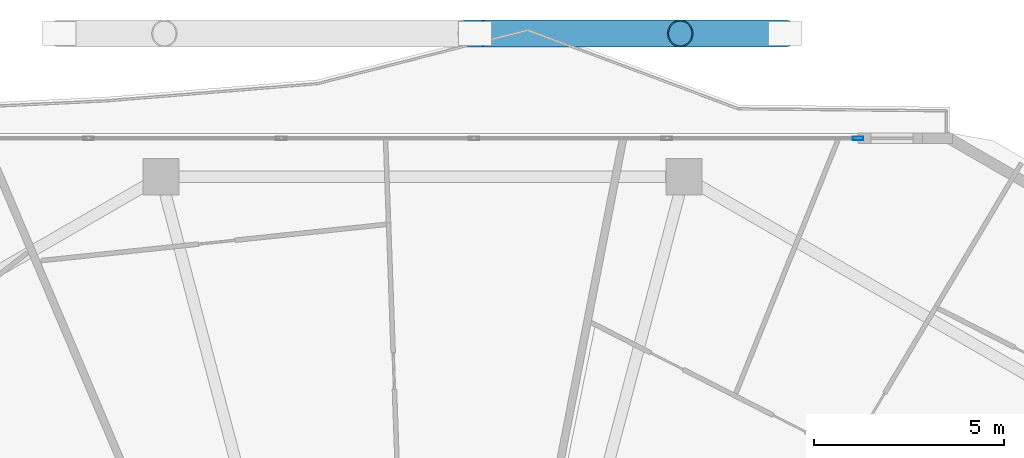
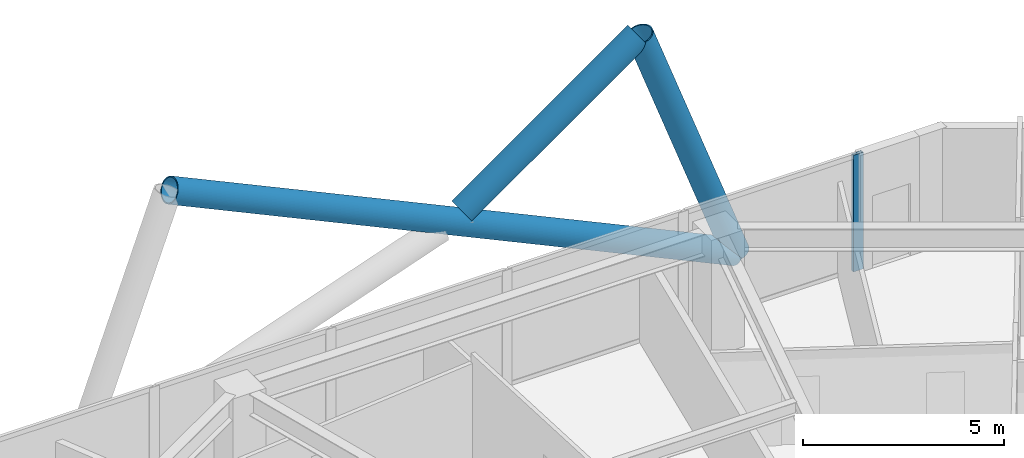
# One storey, part 18 of 28: 4 members, 1 element without a shape of its own.
"""IFC4 building model written with IfcOpenShell, lengths in metres."""

from ifc_helpers import new_model, si_unit, direction, frame, origin, origin_2d, place, context, subcontext, project, spatial, hollow_rectangle, hollow_circle, extrude, material, material_profile, profile_set, type_object, element, aggregate, save


model = new_model("IFC4")

# Units and contexts
model_context = context("Model", 3, precision=1e-05, world=origin(), true_north=direction((0.0, 1.0)))
body_context = subcontext(model_context, "Body", "Model", "MODEL_VIEW")
ifc_project = project(units=[si_unit("LENGTHUNIT", "METRE"), si_unit("AREAUNIT", "SQUARE_METRE"), si_unit("VOLUMEUNIT", "CUBIC_METRE"), si_unit("PLANEANGLEUNIT", "RADIAN"), si_unit("MASSUNIT", "GRAM", prefix="KILO")], contexts=[model_context])

# Site, building, storey
site_placement = place(None, origin())
site = spatial("IfcSite", under=ifc_project, at=site_placement, CompositionType="ELEMENT")
building_placement = place(site_placement, origin())
building = spatial("IfcBuilding", under=site, at=building_placement, Name="Zuhravey Tower", CompositionType="ELEMENT")
storey_placement = place(building_placement, frame((0.0, 0.0, 207.39990234375)))
storey = spatial("IfcBuildingStorey", under=building, at=storey_placement, Name="L52", CompositionType="ELEMENT", Elevation=207.39990234375)

# Curtain wall, member
ifc_material_1 = material(Name="Thermally broken anodised aluminium", Category="aluminium")
curtain_wall_type = type_object("IfcCurtainWallType", Name="Zone 1-2 Residential Curtain Wall CW3", PredefinedType="NOTDEFINED", material=ifc_material_1)
curtain_wall_placement = place(storey_placement, origin())
curtain_wall = element("IfcCurtainWall", 1, at=curtain_wall_placement, inside=storey, type_object=curtain_wall_type, Name="L52 CW3 CW-L52-F2-1", PredefinedType="NOTDEFINED")
ifc_material_2 = material(Name="Anodised aluminium", Category="aluminium")
ifc_material_profile_1 = material_profile(ifc_material_2, hollow_rectangle(XDim=0.090087890625, YDim=0.284912109375, WallThickness=0.0048828125, at=origin_2d()), Name="ALU-RHS-90x285x5")
ifc_profile_set_1 = profile_set([ifc_material_profile_1], Name="Anodised aluminium")
member_type_1 = type_object("IfcMemberType", Name="Curtain-Wall Mullion 90x180", PredefinedType="MULLION", material=ifc_profile_set_1)
member_1_placement = place(storey_placement, frame((47.466064453125, 59.18310546875, 0.0), z_axis=(0.0, 0.0, 1.0), x_axis=(0.0, 1.0, 0.0)))
member_1 = element("IfcMember", 2, at=member_1_placement, type_object=member_type_1, Name="CW3 mullion 6", PredefinedType="MULLION", context=body_context, shape_type="SweptSolid", body=[
    extrude(hollow_rectangle(XDim=0.090087890625, YDim=0.284912109375, WallThickness=0.0048828125, at=origin_2d()), origin(), (0.0, 0.0, 1.0), 3.550048828125),
])
aggregate(curtain_wall, [member_1])

# Members
ifc_material_3 = material(Name="Steel SM460", Category="steel")
ifc_material_profile_2 = material_profile(ifc_material_3, hollow_circle(Radius=0.355712890625, WallThickness=0.031982421875, at=origin_2d()), Name="CHS-711.2x32")
ifc_profile_set_2 = profile_set([ifc_material_profile_2], Name="Steel SM460")
member_type_2 = type_object("IfcMemberType", Name="Exoskeleton Zone 2 Diagrid CHS711x32", PredefinedType="BRACE", material=ifc_profile_set_2)
member_2_placement = place(storey_placement, frame((45.547607421875, 61.943115234375, -0.44384765625), z_axis=(-0.342858392965, 0.0, 0.939387099323), x_axis=(0.0, -1.0, 0.0)))
element("IfcMember", 3, at=member_2_placement, inside=storey, type_object=member_type_2, Name="L52 Face 2 Diagrid Brace 1", PredefinedType="BRACE", context=body_context, shape_type="SweptSolid", body=[
    extrude(hollow_circle(Radius=0.355712890625, WallThickness=0.031982421875, at=origin_2d()), origin(), (0.0, 0.0, 1.0), 8.0478515625),
])
member_3_placement = place(storey_placement, frame((45.511962890625, 61.943115234375, -0.44384765625), z_axis=(-0.906680162882, 0.0, 0.421818778903), x_axis=(0.0, -1.0, 0.0)))
element("IfcMember", 4, at=member_3_placement, inside=storey, type_object=member_type_2, Name="L52 Face 2 Diagrid Brace 2", PredefinedType="BRACE", context=body_context, shape_type="SweptSolid", body=[
    extrude(hollow_circle(Radius=0.355712890625, WallThickness=0.031982421875, at=origin_2d()), origin(), (0.0, 0.0, 1.0), 17.922607421875),
])
member_4_placement = place(storey_placement, frame((37.66943359375, 61.943115234375, 3.53515625), z_axis=(0.817501799386, 0.0, 0.575926043864), x_axis=(0.0, 1.0, 0.0)))
element("IfcMember", 5, at=member_4_placement, inside=storey, type_object=member_type_2, Name="L52 Face 2 Split Diagrid Brace 3B", PredefinedType="BRACE", context=body_context, shape_type="SweptSolid", body=[
    extrude(hollow_circle(Radius=0.355712890625, WallThickness=0.031982421875, at=origin_2d()), origin(), (0.0, 0.0, 1.0), 6.205078125),
])

save(model, "model.ifc")
